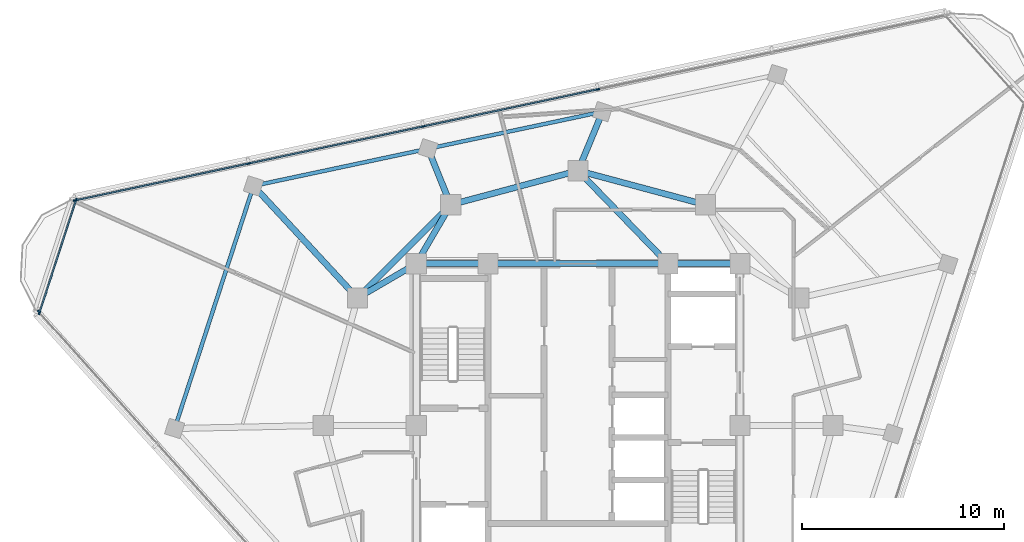
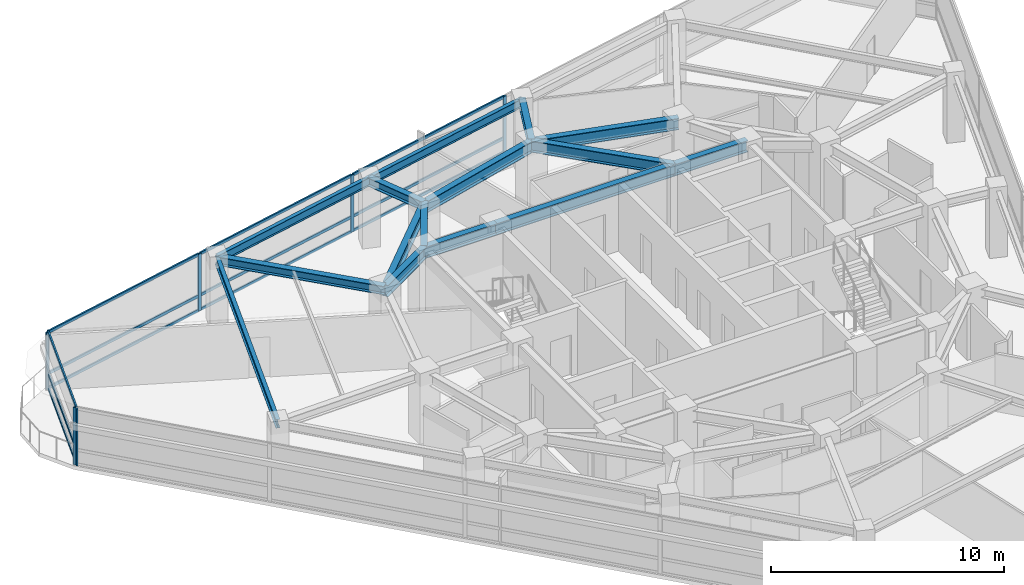
# One storey, part 5 of 15: 19 members, 15 beams, 3 elements without a shape of their own.
"""IFC4 building model written with IfcOpenShell, lengths in metres."""

from ifc_helpers import new_model, si_unit, direction, frame, origin, origin_2d, place, context, subcontext, project, spatial, rectangle, i_section, extrude, material, layer, layer_set, material_profile, profile_set, type_object, element, aggregate, save


model = new_model("IFC4")

# Units and contexts
model_context = context("Model", 3, precision=1e-05, world=origin(), true_north=direction((0.0, 1.0)))
body_context = subcontext(model_context, "Body", "Model", "MODEL_VIEW")
ifc_project = project(units=[si_unit("LENGTHUNIT", "METRE"), si_unit("AREAUNIT", "SQUARE_METRE"), si_unit("VOLUMEUNIT", "CUBIC_METRE"), si_unit("PLANEANGLEUNIT", "RADIAN"), si_unit("MASSUNIT", "GRAM", prefix="KILO")], contexts=[model_context])

# Site, building, storey
site_placement = place(None, origin())
site = spatial("IfcSite", under=ifc_project, at=site_placement, CompositionType="ELEMENT")
building_placement = place(site_placement, origin())
building = spatial("IfcBuilding", under=site, at=building_placement, Name="Terralouvre Media Tower", CompositionType="ELEMENT")
storey_placement = place(building_placement, frame((0.0, 0.0, 283.199951171875)))
storey = spatial("IfcBuildingStorey", under=building, at=storey_placement, Name="L73", CompositionType="ELEMENT", Elevation=283.199951171875)

# Curtain wall, members
ifc_material_1 = material(Name="Low-iron laminated double glazing with solar-control coating", Category="glass")
ifc_layer_1 = layer(ifc_material_1, 0.1650390625, Name="Faceted Glass-Point Crown Curtain Wall CW-06")
ifc_layer_set_1 = layer_set([ifc_layer_1], Name="Low-iron laminated double glazing with solar-control coating")
curtain_wall_type_1 = type_object("IfcCurtainWallType", Name="Faceted Glass-Point Crown Curtain Wall CW-06", PredefinedType="NOTDEFINED", material=ifc_layer_set_1)
curtain_wall_1_placement = place(storey_placement, origin())
curtain_wall_1 = element("IfcCurtainWall", 1, at=curtain_wall_1_placement, inside=storey, type_object=curtain_wall_type_1, Name="L73 Facade Curtain Wall F1", PredefinedType="NOTDEFINED")
ifc_material_2 = material(Name="Anodised extruded aluminium 6063-T6", Category="aluminium")
ifc_material_profile_1 = material_profile(ifc_material_2, rectangle(XDim=0.074951171875, YDim=0.14990234375, at=origin_2d()), Name="ALU 75x150")
ifc_profile_set_1 = profile_set([ifc_material_profile_1], Name="Anodised extruded aluminium 6063-T6")
member_type_1 = type_object("IfcMemberType", Name="Curtain-Wall Horizontal Transom TR-150", PredefinedType="USERDEFINED", material=ifc_profile_set_1)
member_1_placement = place(storey_placement, frame((0.940673828125, 16.614990234375, 0.03759765625), z_axis=(-0.978146154485, -0.207918494767, 0.0), x_axis=(0.207918494767, -0.978146154485, 0.0)))
member_1 = element("IfcMember", 2, at=member_1_placement, type_object=member_type_1, Name="CW-06 transom 3.1", ObjectType="TRANSOM", PredefinedType="USERDEFINED", context=body_context, shape_type="SweptSolid", body=[
    extrude(rectangle(XDim=0.074951171875, YDim=0.14990234375, at=origin_2d()), origin(), (0.0, 0.0, 1.0), 8.7490234375),
])
member_2_placement = place(storey_placement, frame((0.940673828125, 16.614990234375, 0.800048828125), z_axis=(-0.978146154485, -0.207918494767, 0.0), x_axis=(0.207918494767, -0.978146154485, 0.0)))
member_2 = element("IfcMember", 3, at=member_2_placement, type_object=member_type_1, Name="CW-06 transom 3.2", ObjectType="TRANSOM", PredefinedType="USERDEFINED", context=body_context, shape_type="SweptSolid", body=[
    extrude(rectangle(XDim=0.074951171875, YDim=0.14990234375, at=origin_2d()), origin(), (0.0, 0.0, 1.0), 8.7490234375),
])
member_3_placement = place(storey_placement, frame((0.940673828125, 16.614990234375, 2.962646484375), z_axis=(-0.978146154485, -0.207918494767, 0.0), x_axis=(0.207918494767, -0.978146154485, 0.0)))
member_3 = element("IfcMember", 4, at=member_3_placement, type_object=member_type_1, Name="CW-06 transom 3.3", ObjectType="TRANSOM", PredefinedType="USERDEFINED", context=body_context, shape_type="SweptSolid", body=[
    extrude(rectangle(XDim=0.074951171875, YDim=0.14990234375, at=origin_2d()), origin(), (0.0, 0.0, 1.0), 8.7490234375),
])
member_4_placement = place(storey_placement, frame((-7.690673828125, 14.7802734375, 0.03759765625), z_axis=(-0.978150623206, -0.207897470697, 0.0), x_axis=(0.207897470697, -0.978150623206, 0.0)))
member_4 = element("IfcMember", 5, at=member_4_placement, type_object=member_type_1, Name="CW-06 transom 4.1", ObjectType="TRANSOM", PredefinedType="USERDEFINED", context=body_context, shape_type="SweptSolid", body=[
    extrude(rectangle(XDim=0.074951171875, YDim=0.14990234375, at=origin_2d()), origin(), (0.0, 0.0, 1.0), 8.748779296875),
])
member_5_placement = place(storey_placement, frame((-7.690673828125, 14.7802734375, 0.800048828125), z_axis=(-0.978150623206, -0.207897470697, 0.0), x_axis=(0.207897470697, -0.978150623206, 0.0)))
member_5 = element("IfcMember", 6, at=member_5_placement, type_object=member_type_1, Name="CW-06 transom 4.2", ObjectType="TRANSOM", PredefinedType="USERDEFINED", context=body_context, shape_type="SweptSolid", body=[
    extrude(rectangle(XDim=0.074951171875, YDim=0.14990234375, at=origin_2d()), origin(), (0.0, 0.0, 1.0), 8.748779296875),
])
member_6_placement = place(storey_placement, frame((-7.690673828125, 14.7802734375, 2.962646484375), z_axis=(-0.978150623206, -0.207897470697, 0.0), x_axis=(0.207897470697, -0.978150623206, 0.0)))
member_6 = element("IfcMember", 7, at=member_6_placement, type_object=member_type_1, Name="CW-06 transom 4.3", ObjectType="TRANSOM", PredefinedType="USERDEFINED", context=body_context, shape_type="SweptSolid", body=[
    extrude(rectangle(XDim=0.074951171875, YDim=0.14990234375, at=origin_2d()), origin(), (0.0, 0.0, 1.0), 8.748779296875),
])
member_7_placement = place(storey_placement, frame((-16.32177734375, 12.94580078125, 0.03759765625), z_axis=(-0.978145600823, -0.207921099436, 0.0), x_axis=(0.207921099436, -0.978145600823, 0.0)))
member_7 = element("IfcMember", 8, at=member_7_placement, type_object=member_type_1, Name="CW-06 transom 5.1", ObjectType="TRANSOM", PredefinedType="USERDEFINED", context=body_context, shape_type="SweptSolid", body=[
    extrude(rectangle(XDim=0.074951171875, YDim=0.14990234375, at=origin_2d()), origin(), (0.0, 0.0, 1.0), 8.71142578125),
])
member_8_placement = place(storey_placement, frame((-16.32177734375, 12.94580078125, 0.800048828125), z_axis=(-0.978145600823, -0.207921099436, 0.0), x_axis=(0.207921099436, -0.978145600823, 0.0)))
member_8 = element("IfcMember", 9, at=member_8_placement, type_object=member_type_1, Name="CW-06 transom 5.2", ObjectType="TRANSOM", PredefinedType="USERDEFINED", context=body_context, shape_type="SweptSolid", body=[
    extrude(rectangle(XDim=0.074951171875, YDim=0.14990234375, at=origin_2d()), origin(), (0.0, 0.0, 1.0), 8.71142578125),
])
member_9_placement = place(storey_placement, frame((-16.32177734375, 12.94580078125, 2.962646484375), z_axis=(-0.978145600823, -0.207921099436, 0.0), x_axis=(0.207921099436, -0.978145600823, 0.0)))
member_9 = element("IfcMember", 10, at=member_9_placement, type_object=member_type_1, Name="CW-06 transom 5.3", ObjectType="TRANSOM", PredefinedType="USERDEFINED", context=body_context, shape_type="SweptSolid", body=[
    extrude(rectangle(XDim=0.074951171875, YDim=0.14990234375, at=origin_2d()), origin(), (0.0, 0.0, 1.0), 8.71142578125),
])

ifc_material_3 = material(Name="Low-iron laminated double glazing with solar-control coating", Category="glass")
ifc_layer_2 = layer(ifc_material_3, 0.1650390625, Name="Rounded Wind-Corner Curved Glazing CW-04")
ifc_layer_set_2 = layer_set([ifc_layer_2], Name="Low-iron laminated double glazing with solar-control coating")
curtain_wall_type_2 = type_object("IfcCurtainWallType", Name="Rounded Wind-Corner Curved Glazing CW-04", PredefinedType="NOTDEFINED", material=ifc_layer_set_2)
curtain_wall_2_placement = place(storey_placement, origin())
curtain_wall_2 = element("IfcCurtainWall", 11, at=curtain_wall_2_placement, inside=storey, type_object=curtain_wall_type_2, Name="L73 Rounded Wind-Corner Curtain Wall C2", PredefinedType="NOTDEFINED")
member_10_placement = place(storey_placement, frame((-24.831298828125, 11.121826171875, 0.03759765625), z_axis=(-0.308980573489, -0.951068349387, 0.0), x_axis=(0.951068349387, -0.308980573489, 0.0)))
member_10 = element("IfcMember", 12, at=member_10_placement, type_object=member_type_1, Name="CW-04 transom 1.1", ObjectType="TRANSOM", PredefinedType="USERDEFINED", context=body_context, shape_type="SweptSolid", body=[
    extrude(rectangle(XDim=0.074951171875, YDim=0.14990234375, at=origin_2d()), origin(), (0.0, 0.0, 1.0), 5.808349609375),
])
member_11_placement = place(storey_placement, frame((-24.831298828125, 11.121826171875, 0.800048828125), z_axis=(-0.308980573489, -0.951068349387, 0.0), x_axis=(0.951068349387, -0.308980573489, 0.0)))
member_11 = element("IfcMember", 13, at=member_11_placement, type_object=member_type_1, Name="CW-04 transom 1.2", ObjectType="TRANSOM", PredefinedType="USERDEFINED", context=body_context, shape_type="SweptSolid", body=[
    extrude(rectangle(XDim=0.074951171875, YDim=0.14990234375, at=origin_2d()), origin(), (0.0, 0.0, 1.0), 5.808349609375),
])
member_12_placement = place(storey_placement, frame((-24.831298828125, 11.121826171875, 2.962646484375), z_axis=(-0.308980573489, -0.951068349387, 0.0), x_axis=(0.951068349387, -0.308980573489, 0.0)))
member_12 = element("IfcMember", 14, at=member_12_placement, type_object=member_type_1, Name="CW-04 transom 1.3", ObjectType="TRANSOM", PredefinedType="USERDEFINED", context=body_context, shape_type="SweptSolid", body=[
    extrude(rectangle(XDim=0.074951171875, YDim=0.14990234375, at=origin_2d()), origin(), (0.0, 0.0, 1.0), 5.808349609375),
])

# Member
ifc_material_4 = material(Name="Anodised extruded aluminium 6063-T6", Category="aluminium")
ifc_material_profile_2 = material_profile(ifc_material_4, rectangle(XDim=0.074951171875, YDim=0.179931640625, at=origin_2d()), Name="ALU 75x180")
ifc_profile_set_2 = profile_set([ifc_material_profile_2], Name="Anodised extruded aluminium 6063-T6")
member_type_2 = type_object("IfcMemberType", Name="Curtain-Wall Vertical Mullion ML-180", PredefinedType="MULLION", material=ifc_profile_set_2)
member_13_placement = place(storey_placement, frame((0.977294921875, 16.622802734375, 0.0), z_axis=(0.0, 0.0, 1.0), x_axis=(0.207911618313, -0.978147616145, 0.0)))
member_13 = element("IfcMember", 15, at=member_13_placement, type_object=member_type_2, Name="CW-06 mullion 3", PredefinedType="MULLION", context=body_context, shape_type="SweptSolid", body=[
    extrude(rectangle(XDim=0.074951171875, YDim=0.179931640625, at=origin_2d()), origin(), (0.0, 0.0, 1.0), 3.0),
])

member_14_placement = place(storey_placement, frame((-7.65380859375, 14.7880859375, 0.0), z_axis=(0.0, 0.0, 1.0), x_axis=(0.207911618313, -0.978147616145, 0.0)))
member_14 = element("IfcMember", 16, at=member_14_placement, type_object=member_type_2, Name="CW-06 mullion 4", PredefinedType="MULLION", context=body_context, shape_type="SweptSolid", body=[
    extrude(rectangle(XDim=0.074951171875, YDim=0.179931640625, at=origin_2d()), origin(), (0.0, 0.0, 1.0), 3.0),
])

member_15_placement = place(storey_placement, frame((-16.28515625, 12.95361328125, 0.0), z_axis=(0.0, 0.0, 1.0), x_axis=(0.207911618313, -0.978147616145, 0.0)))
member_15 = element("IfcMember", 17, at=member_15_placement, type_object=member_type_2, Name="CW-06 mullion 5", PredefinedType="MULLION", context=body_context, shape_type="SweptSolid", body=[
    extrude(rectangle(XDim=0.074951171875, YDim=0.179931640625, at=origin_2d()), origin(), (0.0, 0.0, 1.0), 3.0),
])

member_16_placement = place(storey_placement, frame((-24.879638671875, 11.126708984375, 0.0), z_axis=(0.0, 0.0, 1.0), x_axis=(0.207911618313, -0.978147616145, 0.0)))
member_16 = element("IfcMember", 18, at=member_16_placement, type_object=member_type_2, Name="CW-06 mullion 6", PredefinedType="MULLION", context=body_context, shape_type="SweptSolid", body=[
    extrude(rectangle(XDim=0.074951171875, YDim=0.179931640625, at=origin_2d()), origin(), (0.0, 0.0, 1.0), 3.0),
])

aggregate(curtain_wall_1, [member_13, member_14, member_15, member_16, member_1, member_2, member_3, member_4, member_5, member_6, member_7, member_8, member_9])

# Curtain wall, member
curtain_wall_3_placement = place(storey_placement, origin())
curtain_wall_3 = element("IfcCurtainWall", 19, at=curtain_wall_3_placement, inside=storey, type_object=curtain_wall_type_1, Name="L73 Facade Curtain Wall F2", PredefinedType="NOTDEFINED")
member_17_placement = place(storey_placement, frame((-26.668212890625, 5.6220703125, 0.0), z_axis=(0.0, 0.0, 1.0), x_axis=(0.743144855036, 0.669130573531, 0.0)))
member_17 = element("IfcMember", 20, at=member_17_placement, type_object=member_type_2, Name="CW-06 mullion 1", PredefinedType="MULLION", context=body_context, shape_type="SweptSolid", body=[
    extrude(rectangle(XDim=0.074951171875, YDim=0.179931640625, at=origin_2d()), origin(), (0.0, 0.0, 1.0), 3.0),
])
aggregate(curtain_wall_3, [member_17])

# Member
member_18_placement = place(storey_placement, frame((-24.819580078125, 11.157470703125, 0.0), z_axis=(0.0, 0.0, 1.0), x_axis=(0.951056661679, -0.30901654693, 0.0)))
member_18 = element("IfcMember", 21, at=member_18_placement, type_object=member_type_2, Name="CW-04 mullion 1", PredefinedType="MULLION", context=body_context, shape_type="SweptSolid", body=[
    extrude(rectangle(XDim=0.074951171875, YDim=0.179931640625, at=origin_2d()), origin(), (0.0, 0.0, 1.0), 3.0),
])

member_19_placement = place(storey_placement, frame((-26.6376953125, 5.56201171875, 0.0), z_axis=(0.0, 0.0, 1.0), x_axis=(0.951056661679, -0.30901654693, 0.0)))
member_19 = element("IfcMember", 22, at=member_19_placement, type_object=member_type_2, Name="CW-04 mullion 2", PredefinedType="MULLION", context=body_context, shape_type="SweptSolid", body=[
    extrude(rectangle(XDim=0.074951171875, YDim=0.179931640625, at=origin_2d()), origin(), (0.0, 0.0, 1.0), 3.0),
])

aggregate(curtain_wall_2, [member_18, member_19, member_10, member_11, member_12])

# Beams
ifc_material_5 = material(Name="Structural steel S355J2", Category="steel")
ifc_material_profile_3 = material_profile(ifc_material_5, i_section(OverallWidth=0.18994140625, OverallDepth=0.449951171875, WebThickness=0.009521484375, FlangeThickness=0.0146484375, at=origin_2d()), Name="IPE 450")
ifc_profile_set_3 = profile_set([ifc_material_profile_3], Name="Structural steel S355J2")
beam_type_1 = type_object("IfcBeamType", Name="Perimeter Spandrel Beam SPB-450 (IPE 450)", PredefinedType="SPANDREL", material=ifc_profile_set_3)
for number, where, z_axis, x_axis, name in (
    (23, (1.212158203125, 15.517578125, 3.275146484375), (-0.97814485548, -0.207924605802, 0.0), (0.207924605802, -0.97814485548, 0.0), "L73 Framing Beam BM-L73-PR10"),
    (24, (-7.4189453125, 13.682861328125, 3.275146484375), (-0.97814485548, -0.207924605802, 0.0), (0.207924605802, -0.97814485548, 0.0), "L73 Framing Beam BM-L73-PR11"),
):
    element("IfcBeam", number, at=place(storey_placement, frame(where, z_axis=z_axis, x_axis=x_axis)), inside=storey, type_object=beam_type_1, Name=name, PredefinedType="SPANDREL", context=body_context, shape_type="SweptSolid", body=[
        extrude(i_section(OverallWidth=0.18994140625, OverallDepth=0.449951171875, WebThickness=0.009521484375, FlangeThickness=0.0146484375, at=origin_2d()), origin(), (0.0, 0.0, 1.0), 8.823974609375),
    ])
beam_1_placement = place(storey_placement, frame((-16.050048828125, 11.84814453125, 3.275146484375), z_axis=(-0.309020441102, -0.951055396379, 0.0), x_axis=(0.951055396379, -0.309020441102, 0.0)))
element("IfcBeam", 25, at=beam_1_placement, inside=storey, type_object=beam_type_1, Name="L73 Framing Beam BM-L73-PR12", PredefinedType="SPANDREL", context=body_context, shape_type="SweptSolid", body=[
    extrude(i_section(OverallWidth=0.18994140625, OverallDepth=0.449951171875, WebThickness=0.009521484375, FlangeThickness=0.0146484375, at=origin_2d()), origin(), (0.0, 0.0, 1.0), 12.616943359375),
])
ifc_material_6 = material(Name="Structural steel S355J2", Category="steel")
ifc_material_profile_4 = material_profile(ifc_material_6, i_section(OverallWidth=0.300048828125, OverallDepth=0.449951171875, WebThickness=0.013916015625, FlangeThickness=0.02587890625, at=origin_2d()), Name="HEB 450")
ifc_profile_set_4 = profile_set([ifc_material_profile_4], Name="Structural steel S355J2")
beam_type_2 = type_object("IfcBeamType", Name="Primary Floor Girder B-HEB450 (HEB 450)", PredefinedType="BEAM", material=ifc_profile_set_4)
beam_2_placement = place(storey_placement, frame((0.0, 12.60009765625, 3.275146484375), z_axis=(0.383682372078, 0.923465125143, 0.0), x_axis=(-0.923465125143, 0.383682372078, 0.0)))
element("IfcBeam", 26, at=beam_2_placement, inside=storey, type_object=beam_type_2, Name="L73 Framing Beam BM-L73-RD10", PredefinedType="BEAM", context=body_context, shape_type="SweptSolid", body=[
    extrude(i_section(OverallWidth=0.300048828125, OverallDepth=0.449951171875, WebThickness=0.013916015625, FlangeThickness=0.02587890625, at=origin_2d()), origin(), (0.0, 0.0, 1.0), 3.1591796875),
])
beam_3_placement = place(storey_placement, frame((-6.300048828125, 10.911865234375, 3.275146484375), z_axis=(-0.374417122208, 0.927260383386, 0.0), x_axis=(-0.927260383386, -0.374417122208, 0.0)))
element("IfcBeam", 27, at=beam_3_placement, inside=storey, type_object=beam_type_2, Name="L73 Framing Beam BM-L73-RD11", PredefinedType="BEAM", context=body_context, shape_type="SweptSolid", body=[
    extrude(i_section(OverallWidth=0.300048828125, OverallDepth=0.449951171875, WebThickness=0.013916015625, FlangeThickness=0.02587890625, at=origin_2d()), origin(), (0.0, 0.0, 1.0), 2.98828125),
])
beam_4_placement = place(storey_placement, frame((-10.911865234375, 6.300048828125, 3.275146484375), z_axis=(-0.679483353105, 0.733690924609, 0.0), x_axis=(-0.733690924609, -0.679483353105, 0.0)))
element("IfcBeam", 28, at=beam_4_placement, inside=storey, type_object=beam_type_2, Name="L73 Framing Beam BM-L73-RD12", PredefinedType="BEAM", context=body_context, shape_type="SweptSolid", body=[
    extrude(i_section(OverallWidth=0.300048828125, OverallDepth=0.449951171875, WebThickness=0.013916015625, FlangeThickness=0.02587890625, at=origin_2d()), origin(), (0.0, 0.0, 1.0), 7.56201171875),
])
ifc_material_7 = material(Name="Structural steel S460M", Category="steel")
ifc_material_profile_5 = material_profile(ifc_material_7, i_section(OverallWidth=0.300048828125, OverallDepth=0.60009765625, WebThickness=0.015380859375, FlangeThickness=0.030029296875, at=origin_2d()), Name="HEB 600")
ifc_profile_set_5 = profile_set([ifc_material_profile_5], Name="Structural steel S460M")
beam_type_3 = type_object("IfcBeamType", Name="Primary Floor Girder B-HEB600 (HEB 600)", PredefinedType="BEAM", material=ifc_profile_set_5)
beam_5_placement = place(storey_placement, frame((8.0, 8.0, 3.199951171875), z_axis=(-1.0, 0.0, 0.0), x_axis=(0.0, -1.0, 0.0)))
element("IfcBeam", 29, at=beam_5_placement, inside=storey, type_object=beam_type_3, Name="L73 Framing Beam BM-L73-CPR06", PredefinedType="BEAM", context=body_context, shape_type="SweptSolid", body=[
    extrude(i_section(OverallWidth=0.300048828125, OverallDepth=0.60009765625, WebThickness=0.015380859375, FlangeThickness=0.030029296875, at=origin_2d()), origin(), (0.0, 0.0, 1.0), 3.550048828125),
])
beam_6_placement = place(storey_placement, frame((4.449951171875, 8.0, 3.199951171875), z_axis=(-1.0, 0.0, 0.0), x_axis=(0.0, -1.0, 0.0)))
element("IfcBeam", 30, at=beam_6_placement, inside=storey, type_object=beam_type_3, Name="L73 Framing Beam BM-L73-CPR07", PredefinedType="BEAM", context=body_context, shape_type="SweptSolid", body=[
    extrude(i_section(OverallWidth=0.300048828125, OverallDepth=0.60009765625, WebThickness=0.015380859375, FlangeThickness=0.030029296875, at=origin_2d()), origin(), (0.0, 0.0, 1.0), 8.89990234375),
])
beam_7_placement = place(storey_placement, frame((-4.449951171875, 8.0, 3.199951171875), z_axis=(-1.0, 0.0, 0.0), x_axis=(0.0, -1.0, 0.0)))
element("IfcBeam", 31, at=beam_7_placement, inside=storey, type_object=beam_type_3, Name="L73 Framing Beam BM-L73-CPR08", PredefinedType="BEAM", context=body_context, shape_type="SweptSolid", body=[
    extrude(i_section(OverallWidth=0.300048828125, OverallDepth=0.60009765625, WebThickness=0.015380859375, FlangeThickness=0.030029296875, at=origin_2d()), origin(), (0.0, 0.0, 1.0), 3.550048828125),
])
for number, where, z_axis, x_axis, name in (
    (32, (6.300048828125, 10.911865234375, 3.199951171875), (-0.965920481897, 0.258838989821, 0.0), (-0.258838989821, -0.965920481897, 0.0), "L73 Framing Beam BM-L73-MR08"),
    (33, (0.0, 12.60009765625, 3.199951171875), (-0.965920481897, -0.258838989821, 0.0), (0.258838989821, -0.965920481897, 0.0), "L73 Framing Beam BM-L73-MR09"),
):
    element("IfcBeam", number, at=place(storey_placement, frame(where, z_axis=z_axis, x_axis=x_axis)), inside=storey, type_object=beam_type_3, Name=name, PredefinedType="BEAM", context=body_context, shape_type="SweptSolid", body=[
        extrude(i_section(OverallWidth=0.300048828125, OverallDepth=0.60009765625, WebThickness=0.015380859375, FlangeThickness=0.030029296875, at=origin_2d()), origin(), (0.0, 0.0, 1.0), 6.522216796875),
    ])
beam_8_placement = place(storey_placement, frame((-6.300048828125, 10.911865234375, 3.199951171875), z_axis=(-0.707106781187, -0.707106781187, 0.0), x_axis=(0.707106781187, -0.707106781187, 0.0)))
element("IfcBeam", 34, at=beam_8_placement, inside=storey, type_object=beam_type_3, Name="L73 Framing Beam BM-L73-MR10", PredefinedType="BEAM", context=body_context, shape_type="SweptSolid", body=[
    extrude(i_section(OverallWidth=0.300048828125, OverallDepth=0.60009765625, WebThickness=0.015380859375, FlangeThickness=0.030029296875, at=origin_2d()), origin(), (0.0, 0.0, 1.0), 6.52197265625),
])
beam_9_placement = place(storey_placement, frame((4.449951171875, 8.0, 3.199951171875), z_axis=(-0.695279715726, 0.718739255155, 0.0), x_axis=(-0.718739255155, -0.695279715726, 0.0)))
element("IfcBeam", 35, at=beam_9_placement, inside=storey, type_object=beam_type_3, Name="L73 Framing Beam BM-L73-CM09", PredefinedType="BEAM", context=body_context, shape_type="SweptSolid", body=[
    extrude(i_section(OverallWidth=0.300048828125, OverallDepth=0.60009765625, WebThickness=0.015380859375, FlangeThickness=0.030029296875, at=origin_2d()), origin(), (0.0, 0.0, 1.0), 6.400146484375),
])
for number, where, z_axis, x_axis, name in (
    (36, (-8.0, 8.0, 3.199951171875), (0.504172629717, 0.863602894532, 0.0), (-0.863602894532, 0.504172629717, 0.0), "L73 Framing Beam BM-L73-CM10"),
    (37, (-8.0, 8.0, 3.199951171875), (-0.863602894532, -0.504172629717, 0.0), (0.504172629717, -0.863602894532, 0.0), "L73 Framing Beam BM-L73-CM11"),
):
    element("IfcBeam", number, at=place(storey_placement, frame(where, z_axis=z_axis, x_axis=x_axis)), inside=storey, type_object=beam_type_3, Name=name, PredefinedType="BEAM", context=body_context, shape_type="SweptSolid", body=[
        extrude(i_section(OverallWidth=0.300048828125, OverallDepth=0.60009765625, WebThickness=0.015380859375, FlangeThickness=0.030029296875, at=origin_2d()), origin(), (0.0, 0.0, 1.0), 3.371826171875),
    ])

save(model, "model.ifc")
